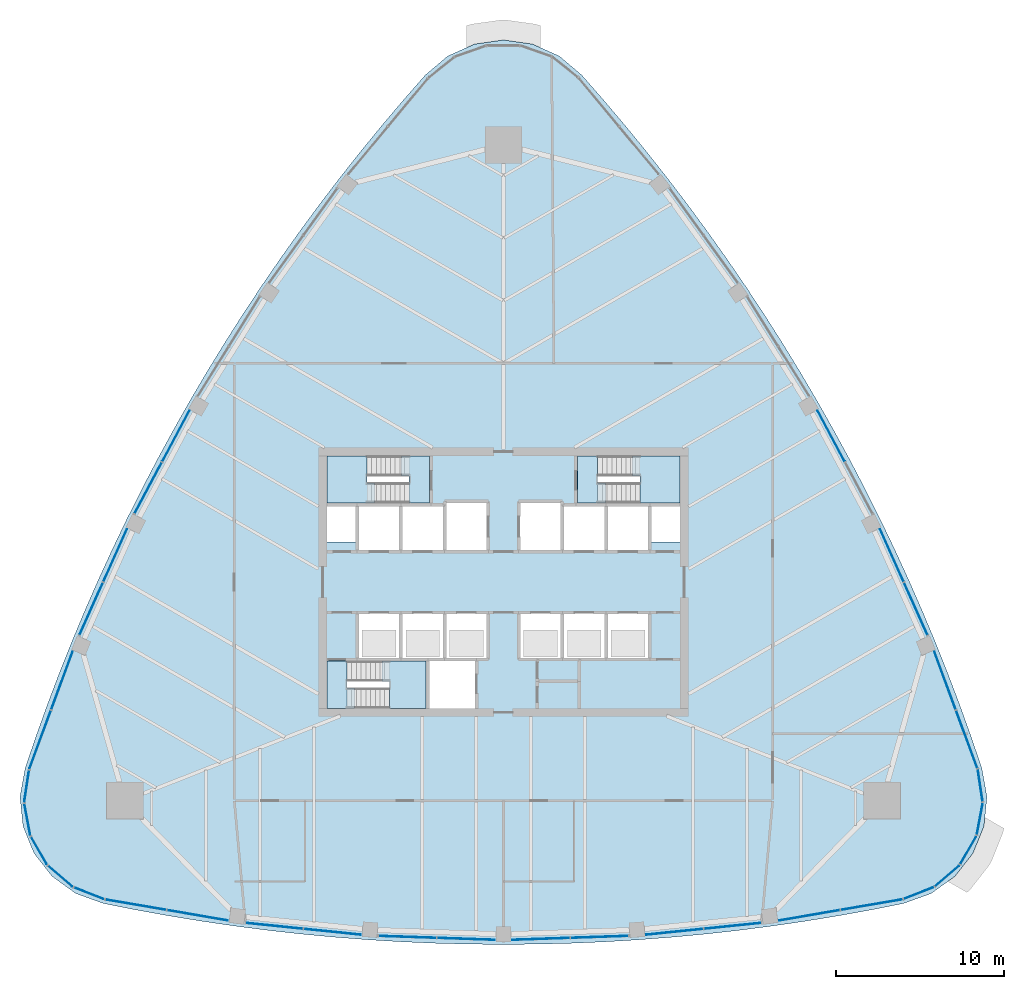
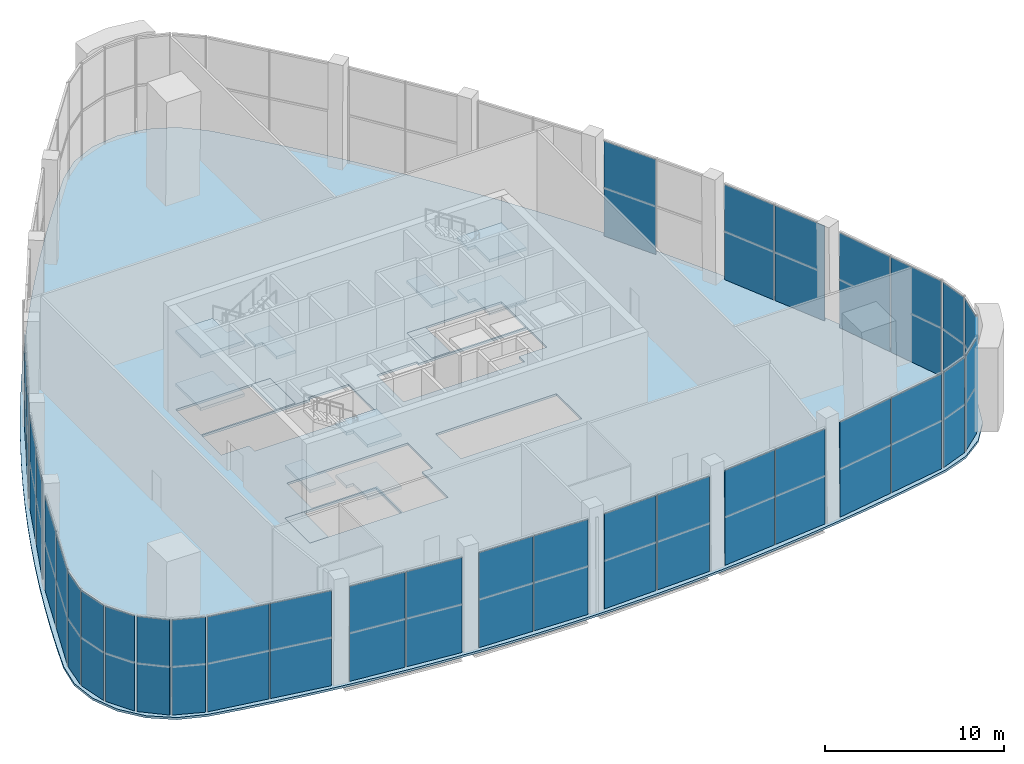
# One storey, part 8 of 15: 33 plates, 13 slabs, 25 elements without a shape of their own.
"""IFC4 building model written with IfcOpenShell, lengths in metres."""

from ifc_helpers import new_model, si_unit, direction, frame, origin, origin_2d, place, context, subcontext, project, spatial, polyline, rectangle, outline, extrude, material, layer, layer_set, type_object, element, aggregate, save


model = new_model("IFC4")

# Units and contexts
model_context = context("Model", 3, precision=1e-05, world=origin(), true_north=direction((0.0, 1.0)))
body_context = subcontext(model_context, "Body", "Model", "MODEL_VIEW")
ifc_project = project(units=[si_unit("LENGTHUNIT", "METRE"), si_unit("AREAUNIT", "SQUARE_METRE"), si_unit("VOLUMEUNIT", "CUBIC_METRE"), si_unit("PLANEANGLEUNIT", "RADIAN"), si_unit("MASSUNIT", "GRAM", prefix="KILO")], contexts=[model_context])

# Site, building, storey
site_placement = place(None, origin())
site = spatial("IfcSite", under=ifc_project, at=site_placement, CompositionType="ELEMENT")
building_placement = place(site_placement, origin())
building = spatial("IfcBuilding", under=site, at=building_placement, Name="Sierra Prisma Convention Tower", CompositionType="ELEMENT")
storey_placement = place(building_placement, frame((0.0, 0.0, 219.800048828125)))
storey = spatial("IfcBuildingStorey", under=building, at=storey_placement, Name="L49", CompositionType="ELEMENT", Elevation=219.800048828125)

# Curtain wall, plates
ifc_material_1 = material(Name="Aluminium and glass curtain wall", Category="aluminium")
ifc_layer_1 = layer(ifc_material_1, 0.179931640625)
ifc_layer_set_1 = layer_set([ifc_layer_1], Name="CW-4 Sky lobby double-height curtain wall")
curtain_wall_type = type_object("IfcCurtainWallType", Name="CW-4 Sky lobby double-height curtain wall", PredefinedType="NOTDEFINED", material=ifc_layer_set_1)
curtain_wall_1_placement = place(storey_placement, origin())
curtain_wall_1 = element("IfcCurtainWall", 1, at=curtain_wall_1_placement, inside=storey, type_object=curtain_wall_type, Name="CW-4 S1 L49", PredefinedType="NOTDEFINED")
ifc_material_2 = material(Name="Tinted glass bronze-grey IGU", Category="glass")
ifc_layer_2 = layer(ifc_material_2, 0.035888671875)
ifc_layer_set_2 = layer_set([ifc_layer_2], Name="CW-4 glass panel")
plate_type = type_object("IfcPlateType", Name="CW-4 glass panel", PredefinedType="CURTAIN_PANEL", material=ifc_layer_set_2)
plate_1_placement = place(storey_placement, frame((-21.859375, -19.1748046875, 0.0), z_axis=(0.0, 0.0, 1.0), x_axis=(0.985564993933, -0.169297497717, 0.0)))
plate_1 = element("IfcPlate", 2, at=plate_1_placement, type_object=plate_type, Name="CW-4 panel S1.1", PredefinedType="CURTAIN_PANEL", context=body_context, shape_type="SweptSolid", body=[
    extrude(rectangle(XDim=3.6513671875, YDim=0.035888671875, at=origin_2d()), origin(), (0.0, 0.0, 1.0), 6.47998046875),
])
plate_2_placement = place(storey_placement, frame((-18.191650390625, -19.804931640625, 0.0), z_axis=(0.0, 0.0, 1.0), x_axis=(0.985564993933, -0.169297497717, 0.0)))
plate_2 = element("IfcPlate", 3, at=plate_2_placement, type_object=plate_type, Name="CW-4 panel S1.2", PredefinedType="CURTAIN_PANEL", context=body_context, shape_type="SweptSolid", body=[
    extrude(rectangle(XDim=3.6513671875, YDim=0.035888671875, at=origin_2d()), origin(), (0.0, 0.0, 1.0), 6.47998046875),
])
aggregate(curtain_wall_1, [plate_1, plate_2])

curtain_wall_2_placement = place(storey_placement, origin())
curtain_wall_2 = element("IfcCurtainWall", 4, at=curtain_wall_2_placement, inside=storey, type_object=curtain_wall_type, Name="CW-4 S2 L49", PredefinedType="NOTDEFINED")
plate_3_placement = place(storey_placement, frame((-13.625244140625, -20.432861328125, 0.0), z_axis=(0.0, 0.0, 1.0), x_axis=(0.994795368278, -0.101892959781, 0.0)))
plate_3 = element("IfcPlate", 5, at=plate_3_placement, type_object=plate_type, Name="CW-4 panel S2.1", PredefinedType="CURTAIN_PANEL", context=body_context, shape_type="SweptSolid", body=[
    extrude(rectangle(XDim=3.404296875, YDim=0.035888671875, at=origin_2d()), origin(), (0.0, 0.0, 1.0), 6.47998046875),
])
plate_4_placement = place(storey_placement, frame((-10.1689453125, -20.787109375, 0.0), z_axis=(0.0, 0.0, 1.0), x_axis=(0.994795368278, -0.101892959781, 0.0)))
plate_4 = element("IfcPlate", 6, at=plate_4_placement, type_object=plate_type, Name="CW-4 panel S2.2", PredefinedType="CURTAIN_PANEL", context=body_context, shape_type="SweptSolid", body=[
    extrude(rectangle(XDim=3.404296875, YDim=0.035888671875, at=origin_2d()), origin(), (0.0, 0.0, 1.0), 6.47998046875),
])
aggregate(curtain_wall_2, [plate_3, plate_4])

curtain_wall_3_placement = place(storey_placement, origin())
curtain_wall_3 = element("IfcCurtainWall", 7, at=curtain_wall_3_placement, inside=storey, type_object=curtain_wall_type, Name="CW-4 S3 L49", PredefinedType="NOTDEFINED")
plate_5_placement = place(storey_placement, frame((-5.717041015625, -21.089599609375, 0.0), z_axis=(0.0, 0.0, 1.0), x_axis=(0.999421261088, -0.03401680299, 0.0)))
plate_5 = element("IfcPlate", 8, at=plate_5_placement, type_object=plate_type, Name="CW-4 panel S3.1", PredefinedType="CURTAIN_PANEL", context=body_context, shape_type="SweptSolid", body=[
    extrude(rectangle(XDim=3.420166015625, YDim=0.035888671875, at=origin_2d()), origin(), (0.0, 0.0, 1.0), 6.47998046875),
])
plate_6_placement = place(storey_placement, frame((-2.228759765625, -21.20849609375, 0.0), z_axis=(0.0, 0.0, 1.0), x_axis=(0.999421261088, -0.03401680299, 0.0)))
plate_6 = element("IfcPlate", 9, at=plate_6_placement, type_object=plate_type, Name="CW-4 panel S3.2", PredefinedType="CURTAIN_PANEL", context=body_context, shape_type="SweptSolid", body=[
    extrude(rectangle(XDim=3.420166015625, YDim=0.035888671875, at=origin_2d()), origin(), (0.0, 0.0, 1.0), 6.47998046875),
])
aggregate(curtain_wall_3, [plate_5, plate_6])

curtain_wall_4_placement = place(storey_placement, origin())
curtain_wall_4 = element("IfcCurtainWall", 10, at=curtain_wall_4_placement, inside=storey, type_object=curtain_wall_type, Name="CW-4 S4 L49", PredefinedType="NOTDEFINED")
plate_7_placement = place(storey_placement, frame((2.228759765625, -21.20849609375, 0.0), z_axis=(0.0, 0.0, 1.0), x_axis=(0.999421261088, 0.03401680299, 0.0)))
plate_7 = element("IfcPlate", 11, at=plate_7_placement, type_object=plate_type, Name="CW-4 panel S4.1", PredefinedType="CURTAIN_PANEL", context=body_context, shape_type="SweptSolid", body=[
    extrude(rectangle(XDim=3.420166015625, YDim=0.035888671875, at=origin_2d()), origin(), (0.0, 0.0, 1.0), 6.47998046875),
])
plate_8_placement = place(storey_placement, frame((5.717041015625, -21.089599609375, 0.0), z_axis=(0.0, 0.0, 1.0), x_axis=(0.999421261088, 0.03401680299, 0.0)))
plate_8 = element("IfcPlate", 12, at=plate_8_placement, type_object=plate_type, Name="CW-4 panel S4.2", PredefinedType="CURTAIN_PANEL", context=body_context, shape_type="SweptSolid", body=[
    extrude(rectangle(XDim=3.420166015625, YDim=0.035888671875, at=origin_2d()), origin(), (0.0, 0.0, 1.0), 6.47998046875),
])
aggregate(curtain_wall_4, [plate_7, plate_8])

curtain_wall_5_placement = place(storey_placement, origin())
curtain_wall_5 = element("IfcCurtainWall", 13, at=curtain_wall_5_placement, inside=storey, type_object=curtain_wall_type, Name="CW-4 S5 L49", PredefinedType="NOTDEFINED")
plate_9_placement = place(storey_placement, frame((10.1689453125, -20.787109375, 0.0), z_axis=(0.0, 0.0, 1.0), x_axis=(0.994795368278, 0.101892959781, 0.0)))
plate_9 = element("IfcPlate", 14, at=plate_9_placement, type_object=plate_type, Name="CW-4 panel S5.1", PredefinedType="CURTAIN_PANEL", context=body_context, shape_type="SweptSolid", body=[
    extrude(rectangle(XDim=3.404296875, YDim=0.035888671875, at=origin_2d()), origin(), (0.0, 0.0, 1.0), 6.47998046875),
])
plate_10_placement = place(storey_placement, frame((13.625244140625, -20.432861328125, 0.0), z_axis=(0.0, 0.0, 1.0), x_axis=(0.994795368278, 0.101892959781, 0.0)))
plate_10 = element("IfcPlate", 15, at=plate_10_placement, type_object=plate_type, Name="CW-4 panel S5.2", PredefinedType="CURTAIN_PANEL", context=body_context, shape_type="SweptSolid", body=[
    extrude(rectangle(XDim=3.404296875, YDim=0.035888671875, at=origin_2d()), origin(), (0.0, 0.0, 1.0), 6.47998046875),
])
aggregate(curtain_wall_5, [plate_9, plate_10])

curtain_wall_6_placement = place(storey_placement, origin())
curtain_wall_6 = element("IfcCurtainWall", 16, at=curtain_wall_6_placement, inside=storey, type_object=curtain_wall_type, Name="CW-4 S6 L49", PredefinedType="NOTDEFINED")
plate_11_placement = place(storey_placement, frame((18.191650390625, -19.804931640625, 0.0), z_axis=(0.0, 0.0, 1.0), x_axis=(0.985564993933, 0.169297497717, 0.0)))
plate_11 = element("IfcPlate", 17, at=plate_11_placement, type_object=plate_type, Name="CW-4 panel S6.1", PredefinedType="CURTAIN_PANEL", context=body_context, shape_type="SweptSolid", body=[
    extrude(rectangle(XDim=3.6513671875, YDim=0.035888671875, at=origin_2d()), origin(), (0.0, 0.0, 1.0), 6.47998046875),
])
plate_12_placement = place(storey_placement, frame((21.859375, -19.1748046875, 0.0), z_axis=(0.0, 0.0, 1.0), x_axis=(0.985564993933, 0.169297497717, 0.0)))
plate_12 = element("IfcPlate", 18, at=plate_12_placement, type_object=plate_type, Name="CW-4 panel S6.2", PredefinedType="CURTAIN_PANEL", context=body_context, shape_type="SweptSolid", body=[
    extrude(rectangle(XDim=3.6513671875, YDim=0.035888671875, at=origin_2d()), origin(), (0.0, 0.0, 1.0), 6.47998046875),
])
aggregate(curtain_wall_6, [plate_11, plate_12])

# Curtain wall, plate
curtain_wall_7_placement = place(storey_placement, origin())
curtain_wall_7 = element("IfcCurtainWall", 19, at=curtain_wall_7_placement, inside=storey, type_object=curtain_wall_type, Name="CW-4 SE1 L49", PredefinedType="NOTDEFINED")
plate_13_placement = place(storey_placement, frame((24.662109375, -18.488525390625, 0.0), z_axis=(0.0, 0.0, 1.0), x_axis=(0.931328770568, 0.364179517701, 0.0)))
plate_13 = element("IfcPlate", 20, at=plate_13_placement, type_object=plate_type, Name="CW-4 panel SE1.1", PredefinedType="CURTAIN_PANEL", context=body_context, shape_type="SweptSolid", body=[
    extrude(rectangle(XDim=1.866455078125, YDim=0.035888671875, at=origin_2d()), origin(), (0.0, 0.0, 1.0), 6.47998046875),
])
aggregate(curtain_wall_7, [plate_13])

curtain_wall_8_placement = place(storey_placement, origin())
curtain_wall_8 = element("IfcCurtainWall", 21, at=curtain_wall_8_placement, inside=storey, type_object=curtain_wall_type, Name="CW-4 SE2 L49", PredefinedType="NOTDEFINED")
plate_14_placement = place(storey_placement, frame((26.357421875, -17.46923828125, 0.0), z_axis=(0.0, 0.0, 1.0), x_axis=(0.758378425128, 0.651814516792, 0.0)))
plate_14 = element("IfcPlate", 22, at=plate_14_placement, type_object=plate_type, Name="CW-4 panel SE2.1", PredefinedType="CURTAIN_PANEL", context=body_context, shape_type="SweptSolid", body=[
    extrude(rectangle(XDim=1.866455078125, YDim=0.035888671875, at=origin_2d()), origin(), (0.0, 0.0, 1.0), 6.47998046875),
])
aggregate(curtain_wall_8, [plate_14])

curtain_wall_9_placement = place(storey_placement, origin())
curtain_wall_9 = element("IfcCurtainWall", 23, at=curtain_wall_9_placement, inside=storey, type_object=curtain_wall_type, Name="CW-4 SE3 L49", PredefinedType="NOTDEFINED")
plate_15_placement = place(storey_placement, frame((27.619873046875, -15.9462890625, 0.0), z_axis=(0.0, 0.0, 1.0), x_axis=(0.5, 0.866025403784, 0.0)))
plate_15 = element("IfcPlate", 24, at=plate_15_placement, type_object=plate_type, Name="CW-4 panel SE3.1", PredefinedType="CURTAIN_PANEL", context=body_context, shape_type="SweptSolid", body=[
    extrude(rectangle(XDim=1.866455078125, YDim=0.035888671875, at=origin_2d()), origin(), (0.0, 0.0, 1.0), 6.47998046875),
])
aggregate(curtain_wall_9, [plate_15])

curtain_wall_10_placement = place(storey_placement, origin())
curtain_wall_10 = element("IfcCurtainWall", 25, at=curtain_wall_10_placement, inside=storey, type_object=curtain_wall_type, Name="CW-4 SE4 L49", PredefinedType="NOTDEFINED")
plate_16_placement = place(storey_placement, frame((28.3076171875, -14.091552734375, 0.0), z_axis=(0.0, 0.0, 1.0), x_axis=(0.185298717533, 0.982682240239, 0.0)))
plate_16 = element("IfcPlate", 26, at=plate_16_placement, type_object=plate_type, Name="CW-4 panel SE4.1", PredefinedType="CURTAIN_PANEL", context=body_context, shape_type="SweptSolid", body=[
    extrude(rectangle(XDim=1.866455078125, YDim=0.035888671875, at=origin_2d()), origin(), (0.0, 0.0, 1.0), 6.47998046875),
])
aggregate(curtain_wall_10, [plate_16])

curtain_wall_11_placement = place(storey_placement, origin())
curtain_wall_11 = element("IfcCurtainWall", 27, at=curtain_wall_11_placement, inside=storey, type_object=curtain_wall_type, Name="CW-4 SE5 L49", PredefinedType="NOTDEFINED")
plate_17_placement = place(storey_placement, frame((28.3427734375, -12.11376953125, 0.0), z_axis=(0.0, 0.0, 1.0), x_axis=(-0.150275671417, 0.988644133437, 0.0)))
plate_17 = element("IfcPlate", 28, at=plate_17_placement, type_object=plate_type, Name="CW-4 panel SE5.1", PredefinedType="CURTAIN_PANEL", context=body_context, shape_type="SweptSolid", body=[
    extrude(rectangle(XDim=1.866455078125, YDim=0.035888671875, at=origin_2d()), origin(), (0.0, 0.0, 1.0), 6.47998046875),
])
aggregate(curtain_wall_11, [plate_17])

# Curtain wall, plates
curtain_wall_12_placement = place(storey_placement, origin())
curtain_wall_12 = element("IfcCurtainWall", 29, at=curtain_wall_12_placement, inside=storey, type_object=curtain_wall_type, Name="CW-4 NE1 L49", PredefinedType="NOTDEFINED")
plate_18_placement = place(storey_placement, frame((27.53564453125, -9.343505859375, 0.0), z_axis=(0.0, 0.0, 1.0), x_axis=(-0.346166563147, 0.938173070685, 0.0)))
plate_18 = element("IfcPlate", 30, at=plate_18_placement, type_object=plate_type, Name="CW-4 panel NE1.1", PredefinedType="CURTAIN_PANEL", context=body_context, shape_type="SweptSolid", body=[
    extrude(rectangle(XDim=3.6513671875, YDim=0.035888671875, at=origin_2d()), origin(), (0.0, 0.0, 1.0), 6.47998046875),
])
plate_19_placement = place(storey_placement, frame((26.247314453125, -5.85205078125, 0.0), z_axis=(0.0, 0.0, 1.0), x_axis=(-0.346166563147, 0.938173070685, 0.0)))
plate_19 = element("IfcPlate", 31, at=plate_19_placement, type_object=plate_type, Name="CW-4 panel NE1.2", PredefinedType="CURTAIN_PANEL", context=body_context, shape_type="SweptSolid", body=[
    extrude(rectangle(XDim=3.6513671875, YDim=0.035888671875, at=origin_2d()), origin(), (0.0, 0.0, 1.0), 6.47998046875),
])
aggregate(curtain_wall_12, [plate_18, plate_19])

curtain_wall_13_placement = place(storey_placement, origin())
curtain_wall_13 = element("IfcCurtainWall", 32, at=curtain_wall_13_placement, inside=storey, type_object=curtain_wall_type, Name="CW-4 NE2 L49", PredefinedType="NOTDEFINED")
plate_20_placement = place(storey_placement, frame((24.508056640625, -1.58349609375, 0.0), z_axis=(0.0, 0.0, 1.0), x_axis=(-0.409155792502, 0.912464540386, 0.0)))
plate_20 = element("IfcPlate", 33, at=plate_20_placement, type_object=plate_type, Name="CW-4 panel NE2.1", PredefinedType="CURTAIN_PANEL", context=body_context, shape_type="SweptSolid", body=[
    extrude(rectangle(XDim=3.404541015625, YDim=0.035888671875, at=origin_2d()), origin(), (0.0, 0.0, 1.0), 6.47998046875),
])
plate_21_placement = place(storey_placement, frame((23.086669921875, 1.5869140625, 0.0), z_axis=(0.0, 0.0, 1.0), x_axis=(-0.409155792502, 0.912464540386, 0.0)))
plate_21 = element("IfcPlate", 34, at=plate_21_placement, type_object=plate_type, Name="CW-4 panel NE2.2", PredefinedType="CURTAIN_PANEL", context=body_context, shape_type="SweptSolid", body=[
    extrude(rectangle(XDim=3.404541015625, YDim=0.035888671875, at=origin_2d()), origin(), (0.0, 0.0, 1.0), 6.47998046875),
])
aggregate(curtain_wall_13, [plate_20, plate_21])

# Curtain wall, plate
curtain_wall_14_placement = place(storey_placement, origin())
curtain_wall_14 = element("IfcCurtainWall", 35, at=curtain_wall_14_placement, inside=storey, type_object=curtain_wall_type, Name="CW-4 NE3 L49", PredefinedType="NOTDEFINED")
plate_22_placement = place(storey_placement, frame((19.4814453125, 8.673828125, 0.0), z_axis=(0.0, 0.0, 1.0), x_axis=(-0.470251214999, 0.882532602679, 0.0)))
plate_22 = element("IfcPlate", 36, at=plate_22_placement, type_object=plate_type, Name="CW-4 panel NE3.2", PredefinedType="CURTAIN_PANEL", context=body_context, shape_type="SweptSolid", body=[
    extrude(rectangle(XDim=3.42041015625, YDim=0.035888671875, at=origin_2d()), origin(), (0.0, 0.0, 1.0), 6.47998046875),
])
aggregate(curtain_wall_14, [plate_22])

# Curtain wall, plates
curtain_wall_15_placement = place(storey_placement, origin())
curtain_wall_15 = element("IfcCurtainWall", 37, at=curtain_wall_15_placement, inside=storey, type_object=curtain_wall_type, Name="CW-4 NW4 L49", PredefinedType="NOTDEFINED")
plate_23_placement = place(storey_placement, frame((-19.4814453125, 8.674072265625, 0.0), z_axis=(0.0, 0.0, 1.0), x_axis=(-0.470251214999, -0.882532602679, 0.0)))
plate_23 = element("IfcPlate", 38, at=plate_23_placement, type_object=plate_type, Name="CW-4 panel NW4.1", PredefinedType="CURTAIN_PANEL", context=body_context, shape_type="SweptSolid", body=[
    extrude(rectangle(XDim=3.42041015625, YDim=0.035888671875, at=origin_2d()), origin(), (0.0, 0.0, 1.0), 6.47998046875),
])
plate_24_placement = place(storey_placement, frame((-21.122802734375, 5.59375, 0.0), z_axis=(0.0, 0.0, 1.0), x_axis=(-0.470251214999, -0.882532602679, 0.0)))
plate_24 = element("IfcPlate", 39, at=plate_24_placement, type_object=plate_type, Name="CW-4 panel NW4.2", PredefinedType="CURTAIN_PANEL", context=body_context, shape_type="SweptSolid", body=[
    extrude(rectangle(XDim=3.42041015625, YDim=0.035888671875, at=origin_2d()), origin(), (0.0, 0.0, 1.0), 6.47998046875),
])
aggregate(curtain_wall_15, [plate_23, plate_24])

curtain_wall_16_placement = place(storey_placement, origin())
curtain_wall_16 = element("IfcCurtainWall", 40, at=curtain_wall_16_placement, inside=storey, type_object=curtain_wall_type, Name="CW-4 NW5 L49", PredefinedType="NOTDEFINED")
plate_25_placement = place(storey_placement, frame((-23.08642578125, 1.5869140625, 0.0), z_axis=(0.0, 0.0, 1.0), x_axis=(-0.409155792502, -0.912464540386, 0.0)))
plate_25 = element("IfcPlate", 41, at=plate_25_placement, type_object=plate_type, Name="CW-4 panel NW5.1", PredefinedType="CURTAIN_PANEL", context=body_context, shape_type="SweptSolid", body=[
    extrude(rectangle(XDim=3.404296875, YDim=0.035888671875, at=origin_2d()), origin(), (0.0, 0.0, 1.0), 6.47998046875),
])
plate_26_placement = place(storey_placement, frame((-24.508056640625, -1.583251953125, 0.0), z_axis=(0.0, 0.0, 1.0), x_axis=(-0.409155792502, -0.912464540386, 0.0)))
plate_26 = element("IfcPlate", 42, at=plate_26_placement, type_object=plate_type, Name="CW-4 panel NW5.2", PredefinedType="CURTAIN_PANEL", context=body_context, shape_type="SweptSolid", body=[
    extrude(rectangle(XDim=3.404296875, YDim=0.035888671875, at=origin_2d()), origin(), (0.0, 0.0, 1.0), 6.47998046875),
])
aggregate(curtain_wall_16, [plate_25, plate_26])

curtain_wall_17_placement = place(storey_placement, origin())
curtain_wall_17 = element("IfcCurtainWall", 43, at=curtain_wall_17_placement, inside=storey, type_object=curtain_wall_type, Name="CW-4 NW6 L49", PredefinedType="NOTDEFINED")
plate_27_placement = place(storey_placement, frame((-26.247314453125, -5.85205078125, 0.0), z_axis=(0.0, 0.0, 1.0), x_axis=(-0.346166563147, -0.938173070685, 0.0)))
plate_27 = element("IfcPlate", 44, at=plate_27_placement, type_object=plate_type, Name="CW-4 panel NW6.1", PredefinedType="CURTAIN_PANEL", context=body_context, shape_type="SweptSolid", body=[
    extrude(rectangle(XDim=3.6513671875, YDim=0.035888671875, at=origin_2d()), origin(), (0.0, 0.0, 1.0), 6.47998046875),
])
plate_28_placement = place(storey_placement, frame((-27.53564453125, -9.343505859375, 0.0), z_axis=(0.0, 0.0, 1.0), x_axis=(-0.346166563147, -0.938173070685, 0.0)))
plate_28 = element("IfcPlate", 45, at=plate_28_placement, type_object=plate_type, Name="CW-4 panel NW6.2", PredefinedType="CURTAIN_PANEL", context=body_context, shape_type="SweptSolid", body=[
    extrude(rectangle(XDim=3.6513671875, YDim=0.035888671875, at=origin_2d()), origin(), (0.0, 0.0, 1.0), 6.47998046875),
])
aggregate(curtain_wall_17, [plate_27, plate_28])

# Curtain wall, plate
curtain_wall_18_placement = place(storey_placement, origin())
curtain_wall_18 = element("IfcCurtainWall", 46, at=curtain_wall_18_placement, inside=storey, type_object=curtain_wall_type, Name="CW-4 SW1 L49", PredefinedType="NOTDEFINED")
plate_29_placement = place(storey_placement, frame((-28.3427734375, -12.11376953125, 0.0), z_axis=(0.0, 0.0, 1.0), x_axis=(-0.150275671417, -0.988644133437, 0.0)))
plate_29 = element("IfcPlate", 47, at=plate_29_placement, type_object=plate_type, Name="CW-4 panel SW1.1", PredefinedType="CURTAIN_PANEL", context=body_context, shape_type="SweptSolid", body=[
    extrude(rectangle(XDim=1.866455078125, YDim=0.035888671875, at=origin_2d()), origin(), (0.0, 0.0, 1.0), 6.47998046875),
])
aggregate(curtain_wall_18, [plate_29])

curtain_wall_19_placement = place(storey_placement, origin())
curtain_wall_19 = element("IfcCurtainWall", 48, at=curtain_wall_19_placement, inside=storey, type_object=curtain_wall_type, Name="CW-4 SW2 L49", PredefinedType="NOTDEFINED")
plate_30_placement = place(storey_placement, frame((-28.3076171875, -14.091552734375, 0.0), z_axis=(0.0, 0.0, 1.0), x_axis=(0.185298717533, -0.982682240239, 0.0)))
plate_30 = element("IfcPlate", 49, at=plate_30_placement, type_object=plate_type, Name="CW-4 panel SW2.1", PredefinedType="CURTAIN_PANEL", context=body_context, shape_type="SweptSolid", body=[
    extrude(rectangle(XDim=1.866455078125, YDim=0.035888671875, at=origin_2d()), origin(), (0.0, 0.0, 1.0), 6.47998046875),
])
aggregate(curtain_wall_19, [plate_30])

curtain_wall_20_placement = place(storey_placement, origin())
curtain_wall_20 = element("IfcCurtainWall", 50, at=curtain_wall_20_placement, inside=storey, type_object=curtain_wall_type, Name="CW-4 SW3 L49", PredefinedType="NOTDEFINED")
plate_31_placement = place(storey_placement, frame((-27.619873046875, -15.9462890625, 0.0), z_axis=(0.0, 0.0, 1.0), x_axis=(0.5, -0.866025403784, 0.0)))
plate_31 = element("IfcPlate", 51, at=plate_31_placement, type_object=plate_type, Name="CW-4 panel SW3.1", PredefinedType="CURTAIN_PANEL", context=body_context, shape_type="SweptSolid", body=[
    extrude(rectangle(XDim=1.866455078125, YDim=0.035888671875, at=origin_2d()), origin(), (0.0, 0.0, 1.0), 6.47998046875),
])
aggregate(curtain_wall_20, [plate_31])

curtain_wall_21_placement = place(storey_placement, origin())
curtain_wall_21 = element("IfcCurtainWall", 52, at=curtain_wall_21_placement, inside=storey, type_object=curtain_wall_type, Name="CW-4 SW4 L49", PredefinedType="NOTDEFINED")
plate_32_placement = place(storey_placement, frame((-26.357421875, -17.46923828125, 0.0), z_axis=(0.0, 0.0, 1.0), x_axis=(0.758378425128, -0.651814516792, 0.0)))
plate_32 = element("IfcPlate", 53, at=plate_32_placement, type_object=plate_type, Name="CW-4 panel SW4.1", PredefinedType="CURTAIN_PANEL", context=body_context, shape_type="SweptSolid", body=[
    extrude(rectangle(XDim=1.866455078125, YDim=0.035888671875, at=origin_2d()), origin(), (0.0, 0.0, 1.0), 6.47998046875),
])
aggregate(curtain_wall_21, [plate_32])

curtain_wall_22_placement = place(storey_placement, origin())
curtain_wall_22 = element("IfcCurtainWall", 54, at=curtain_wall_22_placement, inside=storey, type_object=curtain_wall_type, Name="CW-4 SW5 L49", PredefinedType="NOTDEFINED")
plate_33_placement = place(storey_placement, frame((-24.662109375, -18.488525390625, 0.0), z_axis=(0.0, 0.0, 1.0), x_axis=(0.931328770568, -0.364179517701, 0.0)))
plate_33 = element("IfcPlate", 55, at=plate_33_placement, type_object=plate_type, Name="CW-4 panel SW5.1", PredefinedType="CURTAIN_PANEL", context=body_context, shape_type="SweptSolid", body=[
    extrude(rectangle(XDim=1.866455078125, YDim=0.035888671875, at=origin_2d()), origin(), (0.0, 0.0, 1.0), 6.47998046875),
])
aggregate(curtain_wall_22, [plate_33])

# Slab
ifc_material_3 = material(Name="Concrete C35/45", Category="concrete")
ifc_layer_3 = layer(ifc_material_3, 0.14990234375)
ifc_layer_set_3 = layer_set([ifc_layer_3], Name="Composite floor slab 150")
slab_type_1 = type_object("IfcSlabType", Name="Composite floor slab 150", PredefinedType="FLOOR", material=ifc_layer_set_3)
slab_1_placement = place(storey_placement, frame((0.0, 0.0, -0.150146484375)))
element("IfcSlab", 56, at=slab_1_placement, inside=storey, type_object=slab_type_1, Name="Floor slab L49 floor", PredefinedType="FLOOR", context=body_context, shape_type="SweptSolid", body=[
    extrude(outline(polyline([(-23.778564453125, -19.0986328125), (-21.8212890625, -19.486572265625), (-19.857666015625, -19.841064453125), (-17.88818359375, -20.162109375), (-15.913818359375, -20.44970703125), (-13.9345703125, -20.70361328125), (-11.951416015625, -20.923828125), (-9.96484375, -21.1103515625), (-7.975341796875, -21.262939453125), (-5.9833984375, -21.381591796875), (-3.989990234375, -21.46630859375), (-1.995361328125, -21.517333984375), (0.0, -21.5341796875), (1.995361328125, -21.517333984375), (3.989990234375, -21.46630859375), (5.9833984375, -21.381591796875), (7.975341796875, -21.262939453125), (9.96484375, -21.1103515625), (11.951416015625, -20.923828125), (13.9345703125, -20.70361328125), (15.913818359375, -20.44970703125), (17.88818359375, -20.162109375), (19.857666015625, -19.841064453125), (21.8212890625, -19.486572265625), (23.778564453125, -19.0986328125), (25.42041015625, -18.50927734375), (26.834716796875, -17.487548828125), (27.909912109375, -16.11376953125), (28.56201171875, -14.49560546875), (28.73974609375, -12.76025390625), (28.42919921875, -11.04345703125), (27.78662109375, -9.154296875), (27.11181640625, -7.276611328125), (26.405029296875, -5.41064453125), (25.666748046875, -3.556884765625), (24.897216796875, -1.7158203125), (24.09619140625, 0.111572265625), (23.264404296875, 1.92529296875), (22.40185546875, 3.724609375), (21.5087890625, 5.5087890625), (20.58544921875, 7.27783203125), (19.632080078125, 9.03076171875), (18.649169921875, 10.76708984375), (17.636962890625, 12.486572265625), (16.595458984375, 14.188720703125), (15.525146484375, 15.87255859375), (14.426513671875, 17.538330078125), (13.299560546875, 19.184814453125), (12.144775390625, 20.812255859375), (10.962646484375, 22.41943359375), (9.753173828125, 24.006591796875), (8.516845703125, 25.57275390625), (7.254150390625, 27.11767578125), (5.96533203125, 28.64111328125), (4.650634765625, 30.14208984375), (3.3193359375, 31.26953125), (1.727294921875, 31.983154296875), (0.0, 32.2275390625), (-1.727294921875, 31.983154296875), (-3.3193359375, 31.26953125), (-4.650634765625, 30.14208984375), (-5.96533203125, 28.64111328125), (-7.254150390625, 27.11767578125), (-8.516845703125, 25.57275390625), (-9.753173828125, 24.006591796875), (-10.962646484375, 22.41943359375), (-12.144775390625, 20.812255859375), (-13.299560546875, 19.184814453125), (-14.426513671875, 17.538330078125), (-15.525146484375, 15.87255859375), (-16.595458984375, 14.188720703125), (-17.636962890625, 12.486572265625), (-18.649169921875, 10.76708984375), (-19.632080078125, 9.03076171875), (-20.58544921875, 7.27783203125), (-21.5087890625, 5.5087890625), (-22.40185546875, 3.724609375), (-23.264404296875, 1.92529296875), (-24.09619140625, 0.111572265625), (-24.897216796875, -1.7158203125), (-25.666748046875, -3.556884765625), (-26.405029296875, -5.41064453125), (-27.11181640625, -7.276611328125), (-27.78662109375, -9.154296875), (-28.42919921875, -11.04345703125), (-28.73974609375, -12.76025390625), (-28.56201171875, -14.49560546875), (-27.909912109375, -16.11376953125), (-26.834716796875, -17.487548828125), (-25.42041015625, -18.50927734375), (-23.778564453125, -19.0986328125)]), holes=[polyline([(-4.60009765625, -7.5), (-10.5, -7.5), (-10.5, -4.699951171875), (-4.60009765625, -4.699951171875), (-4.60009765625, -7.5)]), polyline([(-8.699951171875, -4.60009765625), (-8.699951171875, -1.800048828125), (-6.10009765625, -1.800048828125), (-3.5, -1.800048828125), (-0.89990234375, -1.800048828125), (-0.89990234375, -4.60009765625), (-1.60009765625, -4.60009765625), (-1.60009765625, -7.5), (-4.5, -7.5), (-4.5, -4.60009765625), (-6.10009765625, -4.60009765625), (-8.699951171875, -4.60009765625)]), polyline([(-10.5, 4.60009765625), (-8.699951171875, 4.60009765625), (-6.10009765625, 4.60009765625), (-3.5, 4.60009765625), (-3.5, 4.800048828125), (-0.89990234375, 4.800048828125), (-0.89990234375, 1.800048828125), (-3.5, 1.800048828125), (-6.10009765625, 1.800048828125), (-8.699951171875, 1.800048828125), (-8.699951171875, 2.39990234375), (-10.5, 2.39990234375), (-10.5, 4.60009765625)]), polyline([(-10.5, 4.699951171875), (-10.5, 7.5), (-4.39990234375, 7.5), (-4.39990234375, 4.699951171875), (-10.5, 4.699951171875)]), polyline([(6.10009765625, -1.800048828125), (8.699951171875, -1.800048828125), (8.699951171875, -4.60009765625), (6.10009765625, -4.60009765625), (3.5, -4.60009765625), (0.89990234375, -4.60009765625), (0.89990234375, -1.800048828125), (3.5, -1.800048828125), (6.10009765625, -1.800048828125)]), polyline([(8.699951171875, 4.60009765625), (10.5, 4.60009765625), (10.5, 2.39990234375), (8.699951171875, 2.39990234375), (8.699951171875, 1.800048828125), (6.10009765625, 1.800048828125), (3.5, 1.800048828125), (0.89990234375, 1.800048828125), (0.89990234375, 4.800048828125), (3.5, 4.800048828125), (3.5, 4.60009765625), (6.10009765625, 4.60009765625), (8.699951171875, 4.60009765625)]), polyline([(4.39990234375, 4.699951171875), (4.39990234375, 7.5), (10.5, 7.5), (10.5, 4.699951171875), (4.39990234375, 4.699951171875)])]), origin(), (0.0, 0.0, 1.0), 0.150146484375),
])

# Stair, slabs
ifc_material_4 = material(Name="Concrete C30/37", Category="concrete")
stair_type = type_object("IfcStairType", Name="Stair dog-leg 1200 RC", PredefinedType="HALF_TURN_STAIR", material=ifc_material_4)
stair_1_placement = place(storey_placement, origin())
stair_1 = element("IfcStair", 57, at=stair_1_placement, inside=storey, type_object=stair_type, Name="L49 S1", PredefinedType="HALF_TURN_STAIR")
ifc_material_5 = material(Name="Concrete C35/45", Category="concrete")
ifc_layer_4 = layer(ifc_material_5, 0.199951171875)
ifc_layer_set_4 = layer_set([ifc_layer_4], Name="Stair landing slab")
slab_type_2 = type_object("IfcSlabType", Name="Stair landing slab", PredefinedType="LANDING", material=ifc_layer_set_4)
slab_2_placement = place(storey_placement, frame((0.0, 0.0, 1.599853515625)))
slab_2 = element("IfcSlab", 58, at=slab_2_placement, type_object=slab_type_2, Name="S1 landing 1", PredefinedType="LANDING", context=body_context, shape_type="SweptSolid", body=[
    extrude(outline(polyline([(-4.60009765625, -4.699951171875), (-4.60009765625, -7.5), (-6.781982421875, -7.5), (-6.781982421875, -5.89990234375), (-7.22998046875, -5.89990234375), (-7.22998046875, -4.699951171875), (-4.60009765625, -4.699951171875)])), origin(), (0.0, 0.0, 1.0), 0.2001953125),
])
slab_3_placement = place(storey_placement, frame((0.0, 0.0, 3.39990234375)))
slab_3 = element("IfcSlab", 59, at=slab_3_placement, type_object=slab_type_2, Name="S1 landing 2", PredefinedType="LANDING", context=body_context, shape_type="SweptSolid", body=[
    extrude(outline(polyline([(-10.5, -7.5), (-10.5, -4.699951171875), (-9.298095703125, -4.699951171875), (-9.298095703125, -6.300048828125), (-8.85009765625, -6.300048828125), (-8.85009765625, -7.5), (-10.5, -7.5)])), origin(), (0.0, 0.0, 1.0), 0.199951171875),
])
slab_4_placement = place(storey_placement, frame((0.0, 0.0, 5.199951171875)))
slab_4 = element("IfcSlab", 60, at=slab_4_placement, type_object=slab_type_2, Name="S1 landing 3", PredefinedType="LANDING", context=body_context, shape_type="SweptSolid", body=[
    extrude(outline(polyline([(-4.60009765625, -4.699951171875), (-4.60009765625, -7.5), (-6.781982421875, -7.5), (-6.781982421875, -5.89990234375), (-7.22998046875, -5.89990234375), (-7.22998046875, -4.699951171875), (-4.60009765625, -4.699951171875)])), origin(), (0.0, 0.0, 1.0), 0.199951171875),
])
aggregate(stair_1, [slab_2, slab_3, slab_4])

# Slab
slab_5_placement = place(storey_placement, frame((0.0, 0.0, -0.199951171875)))
element("IfcSlab", 61, at=slab_5_placement, inside=storey, type_object=slab_type_2, Name="S1 floor landing L49", PredefinedType="LANDING", context=body_context, shape_type="SweptSolid", body=[
    extrude(outline(polyline([(-10.5, -7.5), (-9.298095703125, -7.5), (-9.298095703125, -4.699951171875), (-10.5, -4.699951171875), (-10.5, -7.5)])), origin(), (0.0, 0.0, 1.0), 0.199951171875),
])

# Stair, slabs
stair_2_placement = place(storey_placement, origin())
stair_2 = element("IfcStair", 62, at=stair_2_placement, inside=storey, type_object=stair_type, Name="L49 S3", PredefinedType="HALF_TURN_STAIR")
slab_6_placement = place(storey_placement, frame((0.0, 0.0, 1.599853515625)))
slab_6 = element("IfcSlab", 63, at=slab_6_placement, type_object=slab_type_2, Name="S3 landing 1", PredefinedType="LANDING", context=body_context, shape_type="SweptSolid", body=[
    extrude(outline(polyline([(-7.669921875, 5.89990234375), (-7.669921875, 4.699951171875), (-10.5, 4.699951171875), (-10.5, 7.5), (-8.117919921875, 7.5), (-8.117919921875, 5.89990234375), (-7.669921875, 5.89990234375)])), origin(), (0.0, 0.0, 1.0), 0.2001953125),
])
slab_7_placement = place(storey_placement, frame((0.0, 0.0, 3.39990234375)))
slab_7 = element("IfcSlab", 64, at=slab_7_placement, type_object=slab_type_2, Name="S3 landing 2", PredefinedType="LANDING", context=body_context, shape_type="SweptSolid", body=[
    extrude(outline(polyline([(-4.39990234375, 7.5), (-4.39990234375, 4.699951171875), (-5.60205078125, 4.699951171875), (-5.60205078125, 6.300048828125), (-6.050048828125, 6.300048828125), (-6.050048828125, 7.5), (-4.39990234375, 7.5)])), origin(), (0.0, 0.0, 1.0), 0.199951171875),
])
slab_8_placement = place(storey_placement, frame((0.0, 0.0, 5.199951171875)))
slab_8 = element("IfcSlab", 65, at=slab_8_placement, type_object=slab_type_2, Name="S3 landing 3", PredefinedType="LANDING", context=body_context, shape_type="SweptSolid", body=[
    extrude(outline(polyline([(-7.669921875, 5.89990234375), (-7.669921875, 4.699951171875), (-10.5, 4.699951171875), (-10.5, 7.5), (-8.117919921875, 7.5), (-8.117919921875, 5.89990234375), (-7.669921875, 5.89990234375)])), origin(), (0.0, 0.0, 1.0), 0.199951171875),
])
aggregate(stair_2, [slab_6, slab_7, slab_8])

# Slab
slab_9_placement = place(storey_placement, frame((0.0, 0.0, -0.199951171875)))
element("IfcSlab", 66, at=slab_9_placement, inside=storey, type_object=slab_type_2, Name="S3 floor landing L49", PredefinedType="LANDING", context=body_context, shape_type="SweptSolid", body=[
    extrude(outline(polyline([(-4.39990234375, 7.5), (-5.60205078125, 7.5), (-5.60205078125, 4.699951171875), (-4.39990234375, 4.699951171875), (-4.39990234375, 7.5)])), origin(), (0.0, 0.0, 1.0), 0.199951171875),
])

# Stair, slabs
stair_3_placement = place(storey_placement, origin())
stair_3 = element("IfcStair", 67, at=stair_3_placement, inside=storey, type_object=stair_type, Name="L49 S4", PredefinedType="HALF_TURN_STAIR")
slab_10_placement = place(storey_placement, frame((0.0, 0.0, 1.599853515625)))
slab_10 = element("IfcSlab", 68, at=slab_10_placement, type_object=slab_type_2, Name="S4 landing 1", PredefinedType="LANDING", context=body_context, shape_type="SweptSolid", body=[
    extrude(outline(polyline([(10.5, 7.5), (10.5, 4.699951171875), (8.117919921875, 4.699951171875), (8.117919921875, 6.300048828125), (7.669921875, 6.300048828125), (7.669921875, 7.5), (10.5, 7.5)])), origin(), (0.0, 0.0, 1.0), 0.2001953125),
])
slab_11_placement = place(storey_placement, frame((0.0, 0.0, 3.39990234375)))
slab_11 = element("IfcSlab", 69, at=slab_11_placement, type_object=slab_type_2, Name="S4 landing 2", PredefinedType="LANDING", context=body_context, shape_type="SweptSolid", body=[
    extrude(outline(polyline([(4.39990234375, 4.699951171875), (4.39990234375, 7.5), (5.60205078125, 7.5), (5.60205078125, 5.89990234375), (6.050048828125, 5.89990234375), (6.050048828125, 4.699951171875), (4.39990234375, 4.699951171875)])), origin(), (0.0, 0.0, 1.0), 0.199951171875),
])
slab_12_placement = place(storey_placement, frame((0.0, 0.0, 5.199951171875)))
slab_12 = element("IfcSlab", 70, at=slab_12_placement, type_object=slab_type_2, Name="S4 landing 3", PredefinedType="LANDING", context=body_context, shape_type="SweptSolid", body=[
    extrude(outline(polyline([(10.5, 7.5), (10.5, 4.699951171875), (8.117919921875, 4.699951171875), (8.117919921875, 6.300048828125), (7.669921875, 6.300048828125), (7.669921875, 7.5), (10.5, 7.5)])), origin(), (0.0, 0.0, 1.0), 0.199951171875),
])
aggregate(stair_3, [slab_10, slab_11, slab_12])

# Slab
slab_13_placement = place(storey_placement, frame((0.0, 0.0, -0.199951171875)))
element("IfcSlab", 71, at=slab_13_placement, inside=storey, type_object=slab_type_2, Name="S4 floor landing L49", PredefinedType="LANDING", context=body_context, shape_type="SweptSolid", body=[
    extrude(outline(polyline([(4.39990234375, 4.699951171875), (5.60205078125, 4.699951171875), (5.60205078125, 7.5), (4.39990234375, 7.5), (4.39990234375, 4.699951171875)])), origin(), (0.0, 0.0, 1.0), 0.199951171875),
])

save(model, "model.ifc")
